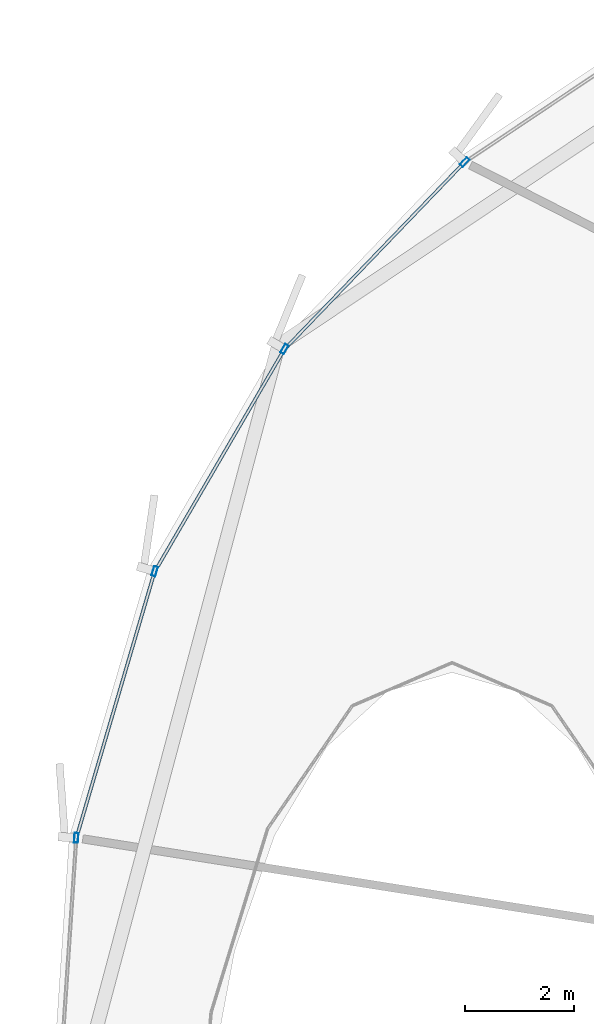
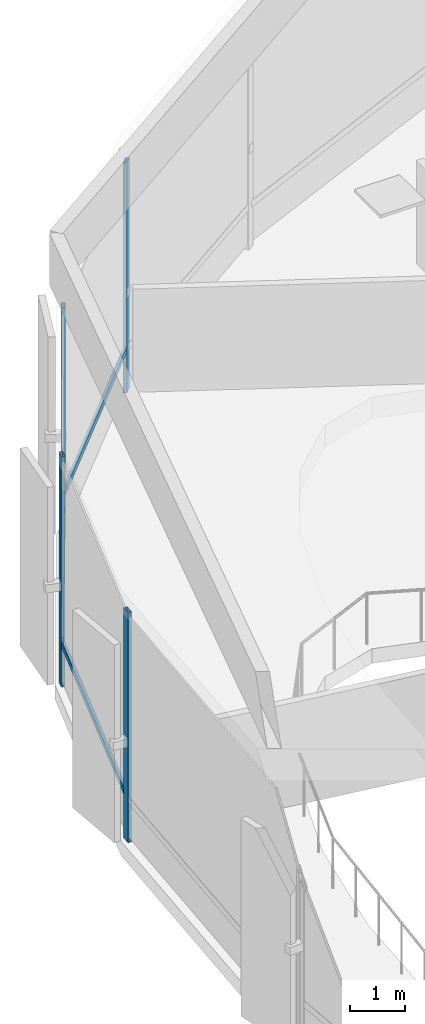
# One storey, part 12 of 36: 7 members, 1 element without a shape of its own.
"""IFC4 building model written with IfcOpenShell, lengths in metres."""

from ifc_helpers import new_model, si_unit, direction, frame, origin, origin_2d, place, context, subcontext, project, spatial, hollow_rectangle, extrude, source, transform, mapped, material, layer, layer_set, material_profile, profile_set, type_object, element, aggregate, save


model = new_model("IFC4")

# Units and contexts
model_context = context("Model", 3, precision=1e-05, world=origin(), true_north=direction((0.0, 1.0)))
body_context = subcontext(model_context, "Body", "Model", "MODEL_VIEW")
ifc_project = project(units=[si_unit("LENGTHUNIT", "METRE"), si_unit("AREAUNIT", "SQUARE_METRE"), si_unit("VOLUMEUNIT", "CUBIC_METRE"), si_unit("PLANEANGLEUNIT", "RADIAN"), si_unit("MASSUNIT", "GRAM", prefix="KILO"), si_unit("THERMODYNAMICTEMPERATUREUNIT", "KELVIN")], contexts=[model_context])

# Site, building, storey
site_placement = place(None, origin())
site = spatial("IfcSite", under=ifc_project, at=site_placement, CompositionType="ELEMENT")
building_placement = place(site_placement, origin())
building = spatial("IfcBuilding", under=site, at=building_placement, Name="Kethvar Cultural Tower", CompositionType="ELEMENT")
storey_placement = place(building_placement, frame((0.0, 0.0, 24.0)))
storey = spatial("IfcBuildingStorey", under=building, at=storey_placement, Name="L05", CompositionType="ELEMENT", Elevation=24.0)

# Curtain wall, members
ifc_material = material(Name="Aluminium 6063-T6", Category="aluminium")
ifc_layer = layer(ifc_material, 0.179931640625, Name="Aluminium 6063-T6", Category="aluminium")
ifc_layer_set = layer_set([ifc_layer], Name="Aluminium 6063-T6 (180 mm)")
curtain_wall_type = type_object("IfcCurtainWallType", Name="CW-SYS-01-POD", PredefinedType="NOTDEFINED", material=ifc_layer_set)
curtain_wall_placement = place(storey_placement, origin())
curtain_wall = element("IfcCurtainWall", 1, at=curtain_wall_placement, inside=storey, type_object=curtain_wall_type, Name="L05 Curtain Wall Run 03", PredefinedType="NOTDEFINED")
ifc_material_profile_1 = material_profile(ifc_material, hollow_rectangle(XDim=0.06005859375, YDim=0.139892578125, WallThickness=0.0048828125, at=origin_2d()), Name="Aluminium 6063-T6 — RHS140x60x5")
ifc_profile_set_1 = profile_set([ifc_material_profile_1], Name="Aluminium 6063-T6 — RHS140x60x5")
member_type_1 = type_object("IfcMemberType", Name="CW-SYS-01-POD-TRN", PredefinedType="USERDEFINED", material=ifc_profile_set_1)
shared_shape_1 = source(origin(), body_context, "Body", "SweptSolid", [
    extrude(hollow_rectangle(XDim=0.06005859375, YDim=0.139892578125, WallThickness=0.0048828125, at=origin_2d()), origin(), (0.0, 0.0, 1.0), 5.012451171875),
])
member_1_placement = place(storey_placement, frame((2.83447265625, 39.80322265625, 0.949951171875), z_axis=(-0.281770748473, -0.959481758714, 0.0), x_axis=(0.959481758714, -0.281770748473, 0.0)))
member_1 = element("IfcMember", 2, at=member_1_placement, type_object=member_type_1, Name="CW-L05-R03 Transom 5", ObjectType="TRANSOM", PredefinedType="USERDEFINED", context=body_context, shape_type="MappedRepresentation", body=[
    mapped(shared_shape_1, transform((0.0, 0.0, 0.0), scale=1.0)),
])
shared_shape_2 = source(origin(), body_context, "Body", "SweptSolid", [
    extrude(hollow_rectangle(XDim=0.06005859375, YDim=0.139892578125, WallThickness=0.0048828125, at=origin_2d()), origin(), (0.0, 0.0, 1.0), 4.639892578125),
])
member_2_placement = place(storey_placement, frame((5.20068359375, 43.881591796875, 0.949951171875), z_axis=(-0.503504560489, -0.863992568004, 0.0), x_axis=(0.863992568004, -0.503504560489, 0.0)))
member_2 = element("IfcMember", 3, at=member_2_placement, type_object=member_type_1, Name="CW-L05-R03 Transom 4", ObjectType="TRANSOM", PredefinedType="USERDEFINED", context=body_context, shape_type="MappedRepresentation", body=[
    mapped(shared_shape_2, transform((0.0, 0.0, 0.0), scale=1.0)),
])
shared_shape_3 = source(origin(), body_context, "Body", "SweptSolid", [
    extrude(hollow_rectangle(XDim=0.06005859375, YDim=0.139892578125, WallThickness=0.0048828125, at=origin_2d()), origin(), (0.0, 0.0, 1.0), 4.6826171875),
])
member_3_placement = place(storey_placement, frame((8.4931640625, 47.31689453125, 0.949951171875), z_axis=(-0.693341040309, -0.72060960431, 0.0), x_axis=(0.72060960431, -0.693341040309, 0.0)))
member_3 = element("IfcMember", 4, at=member_3_placement, type_object=member_type_1, Name="CW-L05-R03 Transom 3", ObjectType="TRANSOM", PredefinedType="USERDEFINED", context=body_context, shape_type="MappedRepresentation", body=[
    mapped(shared_shape_3, transform((0.0, 0.0, 0.0), scale=1.0)),
])
ifc_material_profile_2 = material_profile(ifc_material, hollow_rectangle(XDim=0.074951171875, YDim=0.179931640625, WallThickness=0.006103515625, at=origin_2d()), Name="Aluminium 6063-T6 — RHS180x75x6")
ifc_profile_set_2 = profile_set([ifc_material_profile_2], Name="Aluminium 6063-T6 — RHS180x75x6")
member_type_2 = type_object("IfcMemberType", Name="CW-SYS-01-POD-MUL", PredefinedType="MULLION", material=ifc_profile_set_2)
shared_shape_4 = source(origin(), body_context, "Body", "SweptSolid", [
    extrude(hollow_rectangle(XDim=0.074951171875, YDim=0.179931640625, WallThickness=0.006103515625, at=origin_2d()), origin(), (0.0, 0.0, 1.0), 5.1201171875),
])
member_4_placement = place(storey_placement, frame((8.530517578125, 47.355712890625, 0.0), z_axis=(0.0, 0.0, 1.0), x_axis=(0.720611619661, -0.693338945689, 0.0)))
member_4 = element("IfcMember", 5, at=member_4_placement, type_object=member_type_2, Name="CW-L05-R03 Mullion 3", PredefinedType="MULLION", context=body_context, shape_type="MappedRepresentation", body=[
    mapped(shared_shape_4, transform((0.0, 0.0, 0.0), scale=1.0)),
])
member_5_placement = place(storey_placement, frame((5.227783203125, 43.92822265625, 0.0), z_axis=(0.0, 0.0, 1.0), x_axis=(0.863984939927, -0.503517649721, 0.0)))
member_5 = element("IfcMember", 6, at=member_5_placement, type_object=member_type_2, Name="CW-L05-R03 Mullion 4", PredefinedType="MULLION", context=body_context, shape_type="MappedRepresentation", body=[
    mapped(shared_shape_4, transform((0.0, 0.0, 0.0), scale=1.0)),
])
member_6_placement = place(storey_placement, frame((2.849609375, 39.85498046875, 0.0), z_axis=(0.0, 0.0, 1.0), x_axis=(0.959496102658, -0.28172190008, 0.0)))
member_6 = element("IfcMember", 7, at=member_6_placement, type_object=member_type_2, Name="CW-L05-R03 Mullion 5", PredefinedType="MULLION", context=body_context, shape_type="MappedRepresentation", body=[
    mapped(shared_shape_4, transform((0.0, 0.0, 0.0), scale=1.0)),
])
member_7_placement = place(storey_placement, frame((1.412109375, 34.969970703125, 0.0), z_axis=(0.0, 0.0, 1.0), x_axis=(0.997750279374, -0.067040137302, 0.0)))
member_7 = element("IfcMember", 8, at=member_7_placement, type_object=member_type_2, Name="CW-L05-R03 Mullion 6", PredefinedType="MULLION", context=body_context, shape_type="MappedRepresentation", body=[
    mapped(shared_shape_4, transform((0.0, 0.0, 0.0), scale=1.0)),
])
aggregate(curtain_wall, [member_4, member_5, member_6, member_7, member_3, member_2, member_1])

save(model, "model.ifc")
